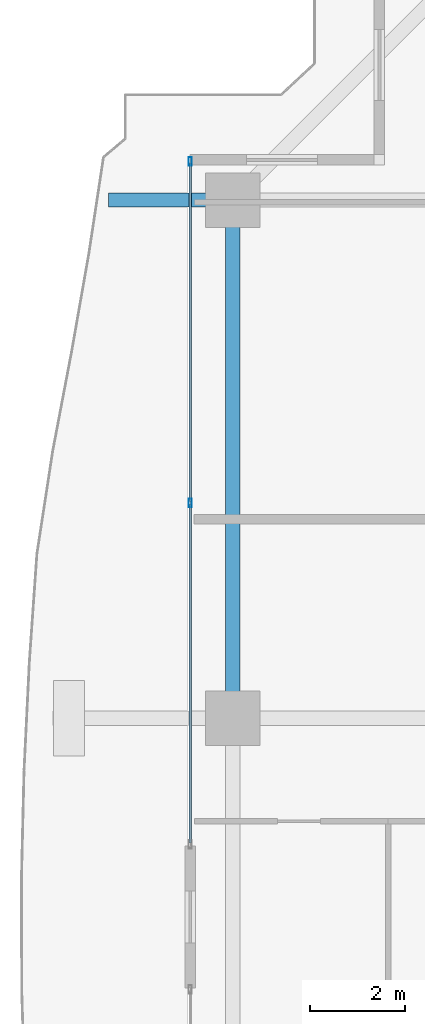
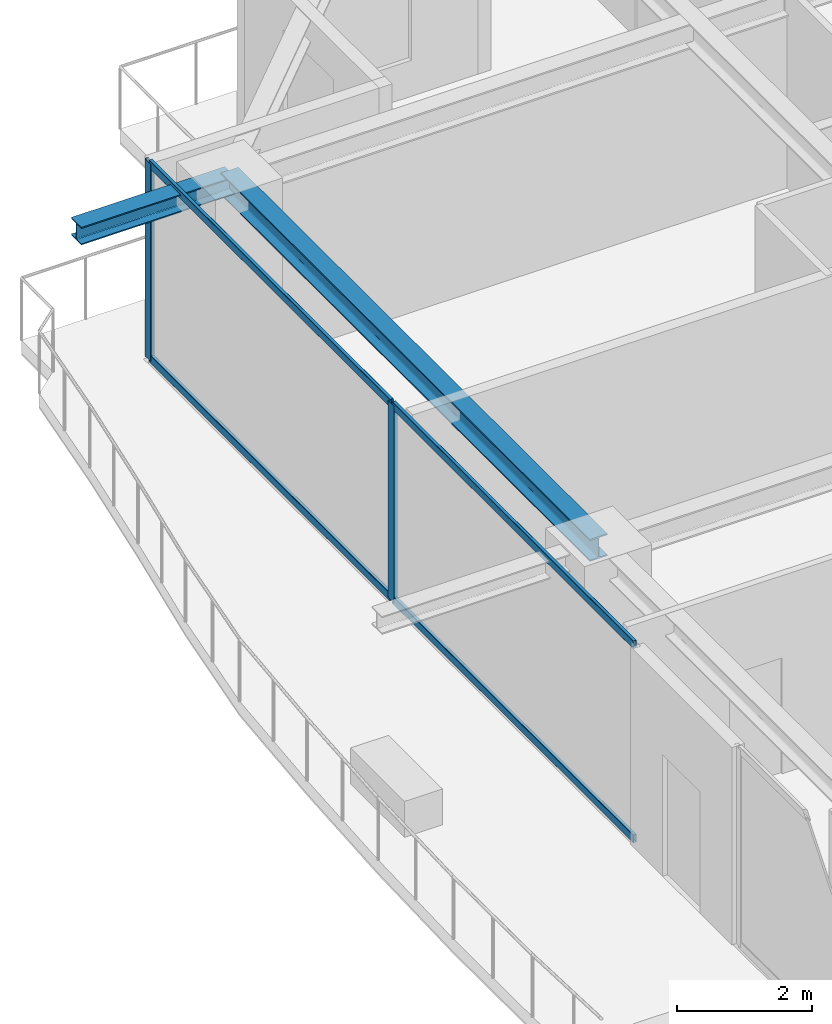
# One storey, part 16 of 35: 6 members, 2 beams, 1 element without a shape of its own.
"""IFC4 building model written with IfcOpenShell, lengths in metres."""

from ifc_helpers import new_model, si_unit, direction, frame, origin, origin_2d, place, context, subcontext, project, spatial, hollow_rectangle, i_section, extrude, source, transform, mapped, material, layer, layer_set, material_profile, profile_set, type_object, element, aggregate, save


model = new_model("IFC4")

# Units and contexts
model_context = context("Model", 3, precision=1e-05, world=origin(), true_north=direction((0.0, 1.0)))
body_context = subcontext(model_context, "Body", "Model", "MODEL_VIEW")
ifc_project = project(units=[si_unit("LENGTHUNIT", "METRE"), si_unit("AREAUNIT", "SQUARE_METRE"), si_unit("VOLUMEUNIT", "CUBIC_METRE"), si_unit("PLANEANGLEUNIT", "RADIAN"), si_unit("MASSUNIT", "GRAM", prefix="KILO")], contexts=[model_context])

# Site, building, storey
site_placement = place(None, origin())
site = spatial("IfcSite", under=ifc_project, at=site_placement, CompositionType="ELEMENT")
building_placement = place(site_placement, origin())
building = spatial("IfcBuilding", under=site, at=building_placement, Name="Serunith Strait Residences", CompositionType="ELEMENT")
storey_placement = place(building_placement, frame((0.0, 0.0, 214.300048828125)))
storey = spatial("IfcBuildingStorey", under=building, at=storey_placement, Name="L53", CompositionType="ELEMENT", Elevation=214.300048828125)

# Beams
ifc_material_1 = material(Name="Steel S355J2", Category="steel")
ifc_material_profile_1 = material_profile(ifc_material_1, i_section(OverallWidth=0.300048828125, OverallDepth=0.39990234375, WebThickness=0.013427734375, FlangeThickness=0.02392578125, FilletRadius=0.027099609375, at=origin_2d()), Name="HEB 400")
ifc_profile_set_1 = profile_set([ifc_material_profile_1], Name="Steel S355J2")
beam_type_1 = type_object("IfcBeamType", Name="BM-HEB400", PredefinedType="BEAM", material=ifc_profile_set_1)
shared_shape_1 = source(origin(), body_context, "Body", "SweptSolid", [
    extrude(i_section(OverallWidth=0.300048828125, OverallDepth=0.39990234375, WebThickness=0.013427734375, FlangeThickness=0.02392578125, FilletRadius=0.027099609375, at=origin_2d()), origin(), (0.0, 0.0, 1.0), 10.9501953125),
])
beam_1_placement = place(storey_placement, frame((8.300048828125, 40.35009765625, 3.386962890625), z_axis=(0.0, -1.0, 0.0), x_axis=(1.0, 0.0, 0.0)))
element("IfcBeam", 1, at=beam_1_placement, inside=storey, type_object=beam_type_1, Name="L53 Perimeter Ring Beam 13", PredefinedType="BEAM", context=body_context, shape_type="MappedRepresentation", body=[
    mapped(shared_shape_1, transform((0.0, 0.0, 0.0), scale=1.0)),
])
ifc_material_profile_2 = material_profile(ifc_material_1, i_section(OverallWidth=0.300048828125, OverallDepth=0.320068359375, WebThickness=0.011474609375, FlangeThickness=0.0205078125, FilletRadius=0.027099609375, at=origin_2d()), Name="HEB 320")
ifc_profile_set_2 = profile_set([ifc_material_profile_2], Name="Steel S355J2")
beam_type_2 = type_object("IfcBeamType", Name="BM-HEB320", PredefinedType="BEAM", material=ifc_profile_set_2)
shared_shape_2 = source(origin(), body_context, "Body", "SweptSolid", [
    extrude(i_section(OverallWidth=0.300048828125, OverallDepth=0.320068359375, WebThickness=0.011474609375, FlangeThickness=0.0205078125, FilletRadius=0.027099609375, at=origin_2d()), origin(), (0.0, 0.0, 1.0), 2.626220703125),
])
beam_2_placement = place(storey_placement, frame((8.300048828125, 40.35009765625, 3.39697265625), z_axis=(-1.0, 0.0, 0.0), x_axis=(0.0, -1.0, 0.0)))
element("IfcBeam", 2, at=beam_2_placement, inside=storey, type_object=beam_type_2, Name="L54 Cantilevered Balcony Rib TC-W4", PredefinedType="BEAM", context=body_context, shape_type="MappedRepresentation", body=[
    mapped(shared_shape_2, transform((0.0, 0.0, 0.0), scale=1.0)),
])

# Curtain wall, members
ifc_material_2 = material(Name="Pale-Champagne Anodised Aluminium", Category="aluminium")
ifc_layer = layer(ifc_material_2, 0.199951171875, Name="Pale-Champagne Anodised Aluminium")
ifc_layer_set = layer_set([ifc_layer], Name="Pale-Champagne Anodised Aluminium")
curtain_wall_type = type_object("IfcCurtainWallType", Name="CW-SYS4", PredefinedType="NOTDEFINED", material=ifc_layer_set)
curtain_wall_placement = place(storey_placement, origin())
curtain_wall = element("IfcCurtainWall", 3, at=curtain_wall_placement, inside=storey, type_object=curtain_wall_type, Name="L53 W Unitised Fritted Curtain Wall", PredefinedType="NOTDEFINED")
ifc_material_profile_3 = material_profile(ifc_material_2, hollow_rectangle(XDim=0.06494140625, YDim=0.179931640625, WallThickness=0.00341796875, InnerFilletRadius=0.00537109375, OuterFilletRadius=0.0087890625, at=origin_2d()), Name="ALU 180x65x3.5")
ifc_profile_set_3 = profile_set([ifc_material_profile_3], Name="Pale-Champagne Anodised Aluminium")
member_type_1 = type_object("IfcMemberType", Name="CW-SYS4-MULL", PredefinedType="MULLION", material=ifc_profile_set_3)
shared_shape_3 = source(origin(), body_context, "Body", "SweptSolid", [
    extrude(hollow_rectangle(XDim=0.06494140625, YDim=0.179931640625, WallThickness=0.00341796875, InnerFilletRadius=0.00537109375, OuterFilletRadius=0.0087890625, at=origin_2d()), origin(), (0.0, 0.0, 1.0), 3.574951171875),
])
member_1_placement = place(storey_placement, frame((7.39990234375, 41.16748046875, 0.0), z_axis=(0.0, 0.0, 1.0), x_axis=(1.0, 0.0, 0.0)))
member_1 = element("IfcMember", 4, at=member_1_placement, type_object=member_type_1, Name="CW-4 mullion 1", PredefinedType="MULLION", context=body_context, shape_type="MappedRepresentation", body=[
    mapped(shared_shape_3, transform((0.0, 0.0, 0.0), scale=1.0)),
])
member_2_placement = place(storey_placement, frame((7.39990234375, 33.949951171875, 0.0), z_axis=(0.0, 0.0, 1.0), x_axis=(1.0, 0.0, 0.0)))
member_2 = element("IfcMember", 5, at=member_2_placement, type_object=member_type_1, Name="CW-4 mullion 2", PredefinedType="MULLION", context=body_context, shape_type="MappedRepresentation", body=[
    mapped(shared_shape_3, transform((0.0, 0.0, 0.0), scale=1.0)),
])
ifc_material_profile_4 = material_profile(ifc_material_2, hollow_rectangle(XDim=0.06005859375, YDim=0.139892578125, WallThickness=0.00341796875, InnerFilletRadius=0.00537109375, OuterFilletRadius=0.0087890625, at=origin_2d()), Name="ALU 140x60x3.5")
ifc_profile_set_4 = profile_set([ifc_material_profile_4], Name="Pale-Champagne Anodised Aluminium")
member_type_2 = type_object("IfcMemberType", Name="CW-SYS4-TRAN", PredefinedType="USERDEFINED", material=ifc_profile_set_4)
shared_shape_4 = source(origin(), body_context, "Body", "SweptSolid", [
    extrude(hollow_rectangle(XDim=0.06005859375, YDim=0.139892578125, WallThickness=0.00341796875, InnerFilletRadius=0.00537109375, OuterFilletRadius=0.0087890625, at=origin_2d()), origin(), (0.0, 0.0, 1.0), 7.152587890625),
])
member_3_placement = place(storey_placement, frame((7.39990234375, 41.135009765625, 0.030029296875), z_axis=(0.0, -1.0, 0.0), x_axis=(1.0, 0.0, 0.0)))
member_3 = element("IfcMember", 6, at=member_3_placement, type_object=member_type_2, Name="CW-4 transom 1.1", ObjectType="TRANSOM", PredefinedType="USERDEFINED", context=body_context, shape_type="MappedRepresentation", body=[
    mapped(shared_shape_4, transform((0.0, 0.0, 0.0), scale=1.0)),
])
member_4_placement = place(storey_placement, frame((7.39990234375, 41.135009765625, 3.544921875), z_axis=(0.0, -1.0, 0.0), x_axis=(1.0, 0.0, 0.0)))
member_4 = element("IfcMember", 7, at=member_4_placement, type_object=member_type_2, Name="CW-4 transom 1.2", ObjectType="TRANSOM", PredefinedType="USERDEFINED", context=body_context, shape_type="MappedRepresentation", body=[
    mapped(shared_shape_4, transform((0.0, 0.0, 0.0), scale=1.0)),
])
member_5_placement = place(storey_placement, frame((7.39990234375, 33.91748046875, 0.030029296875), z_axis=(0.0, -1.0, 0.0), x_axis=(1.0, 0.0, 0.0)))
member_5 = element("IfcMember", 8, at=member_5_placement, type_object=member_type_2, Name="CW-4 transom 2.1", ObjectType="TRANSOM", PredefinedType="USERDEFINED", context=body_context, shape_type="MappedRepresentation", body=[
    mapped(shared_shape_4, transform((0.0, 0.0, 0.0), scale=1.0)),
])
member_6_placement = place(storey_placement, frame((7.39990234375, 33.91748046875, 3.544921875), z_axis=(0.0, -1.0, 0.0), x_axis=(1.0, 0.0, 0.0)))
member_6 = element("IfcMember", 9, at=member_6_placement, type_object=member_type_2, Name="CW-4 transom 2.2", ObjectType="TRANSOM", PredefinedType="USERDEFINED", context=body_context, shape_type="MappedRepresentation", body=[
    mapped(shared_shape_4, transform((0.0, 0.0, 0.0), scale=1.0)),
])
aggregate(curtain_wall, [member_1, member_2, member_3, member_4, member_5, member_6])

save(model, "model.ifc")
